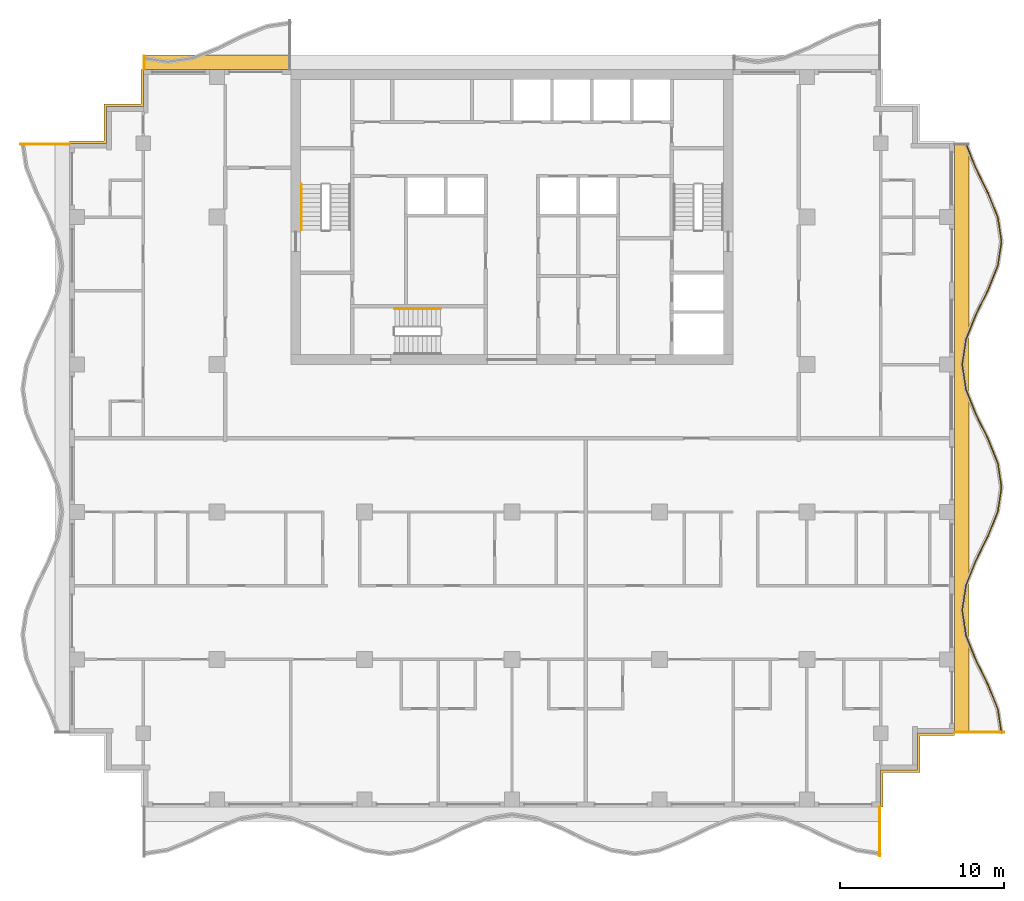
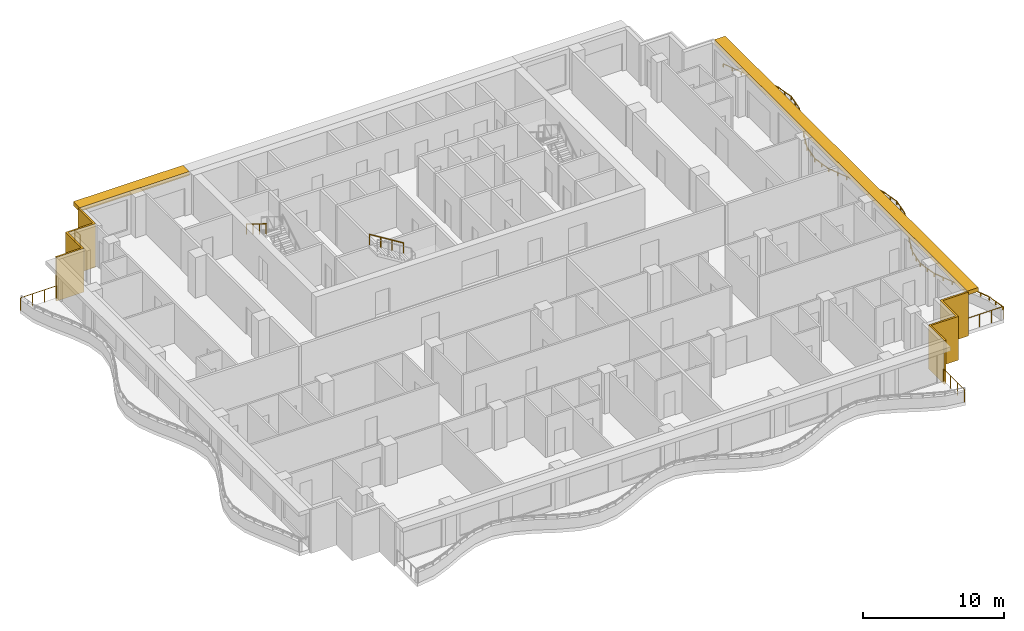
# One storey, part 10 of 11: 7 railings, 4 shading devices.
"""IFC4 building model written with IfcOpenShell, lengths in metres."""

import ifcopenshell
import ifcopenshell.guid

model = None  # the IFC model being written
_history = None  # IfcOwnerHistory: only IFC2X3 demands one
_inside = {}  # id of a spatial element -> (the spatial element, [elements in it])
_under = {}  # id of a project, library or spatial element -> (it, [spatial elements below it])
_declared = {}  # id of a project -> (the project, [libraries it declares])
_typed = {}  # id of a type object -> (the type object, [elements of that type])
_made_of = {}  # id of a material, layer set ... -> (it, [elements and type objects made of it])


def new_model(schema):
    """Start an empty IFC model of exactly this schema.

    Asked for "IFC4X3", IfcOpenShell would pick the latest addendum, in which some entities
    have other attributes; the version numbers below select the first issue.
    IFC2X3 requires an IfcOwnerHistory on every rooted entity: one is made here for all.
    """
    global model, _history
    if schema == "IFC4X3":
        model = ifcopenshell.file(schema_version=(4, 3, 0, 0))
    else:
        model = ifcopenshell.file(schema=schema)
    _inside.clear()
    _under.clear()
    _declared.clear()
    _typed.clear()
    _made_of.clear()
    _history = None
    if model.schema == "IFC2X3":
        org = make("IfcOrganization", Name="unknown")
        user = make(
            "IfcPersonAndOrganization",
            ThePerson=make("IfcPerson", FamilyName="unknown"),
            TheOrganization=org,
        )
        app = make(
            "IfcApplication",
            ApplicationDeveloper=org,
            Version="unknown",
            ApplicationFullName="unknown",
            ApplicationIdentifier="unknown",
        )
        _history = make(
            "IfcOwnerHistory",
            OwningUser=user,
            OwningApplication=app,
            ChangeAction="ADDED",
            CreationDate=0,
        )
    return model


def make(cls, **values):
    """One entity of the class cls with the attributes given. An attribute that is None is left unset."""
    return model.create_entity(
        cls, **{name: value for name, value in values.items() if value is not None}
    )


def rooted(cls, **values):
    """An entity with a GlobalId (a new one), such as an element, a storey or a relation."""
    return make(cls, GlobalId=ifcopenshell.guid.new(), OwnerHistory=_history, **values)


def si_unit(unit_type, name, prefix=None):
    """IfcSIUnit, for example si_unit("LENGTHUNIT", "METRE", prefix="MILLI")."""
    return make("IfcSIUnit", UnitType=unit_type, Prefix=prefix, Name=name)


def assignment(units):
    """IfcUnitAssignment: the units of a project."""
    return None if units is None else make("IfcUnitAssignment", Units=units)


def point(xyz):
    """IfcCartesianPoint."""
    return None if xyz is None else make("IfcCartesianPoint", Coordinates=xyz)


def direction(xyz):
    """IfcDirection."""
    return None if xyz is None else make("IfcDirection", DirectionRatios=xyz)


def frame(location, z_axis=None, x_axis=None):
    """IfcAxis2Placement3D, a coordinate frame: its origin and axes. An axis left out is left unset."""
    return make(
        "IfcAxis2Placement3D",
        Location=point(location),
        Axis=direction(z_axis),
        RefDirection=direction(x_axis),
    )


def frame_2d(location, x_axis=None):
    """IfcAxis2Placement2D, a coordinate frame in the plane: its origin and x axis."""
    return make(
        "IfcAxis2Placement2D", Location=point(location), RefDirection=direction(x_axis)
    )


def origin():
    """The frame at (0, 0, 0) with its axes left unset."""
    return frame((0.0, 0.0, 0.0))


def origin_2d():
    """The frame at (0, 0) in the plane with its x axis left unset."""
    return frame_2d((0.0, 0.0))


def place(relative_to, where):
    """IfcLocalPlacement: puts the frame where relative to a parent placement (None: the world)."""
    return make(
        "IfcLocalPlacement", PlacementRelTo=relative_to, RelativePlacement=where
    )


def context(
    kind, dimensions, precision=None, world=None, true_north=None, identifier=None
):
    """IfcGeometricRepresentationContext, for example the 3D "Model" context."""
    return make(
        "IfcGeometricRepresentationContext",
        ContextIdentifier=identifier,
        ContextType=kind,
        CoordinateSpaceDimension=dimensions,
        Precision=precision,
        WorldCoordinateSystem=world,
        TrueNorth=true_north,
    )


def subcontext(parent, identifier, kind, view, scale=None):
    """IfcGeometricRepresentationSubContext, for example "Body" below "Model"."""
    return make(
        "IfcGeometricRepresentationSubContext",
        ContextIdentifier=identifier,
        ContextType=kind,
        ParentContext=parent,
        TargetScale=scale,
        TargetView=view,
    )


def project(units=None, contexts=None):
    """IfcProject with its units and contexts."""
    return rooted(
        "IfcProject",
        Name="project",
        RepresentationContexts=contexts,
        UnitsInContext=assignment(units),
    )


def spatial(cls, under=None, at=None, **own):
    """A site, building, storey or space (cls), placed at a placement, below another one or the project."""
    s = rooted(cls, ObjectPlacement=at, **own)
    if under is not None:
        _under.setdefault(under.id(), (under, []))[1].append(s)
    return s


def polyline(points):
    """IfcPolyline through the points."""
    return make("IfcPolyline", Points=[point(p) for p in points])


def profile(cls, at=None, kind="AREA", **sizes):
    """A parametric profile (cls). Its sizes go by their IFC names, for example OverallWidth=200.0."""
    return make(cls, ProfileType=kind, Position=at, **sizes)


def rectangle(**sizes):
    """IfcRectangleProfileDef."""
    return profile("IfcRectangleProfileDef", **sizes)


def circle(**sizes):
    """IfcCircleProfileDef."""
    return profile("IfcCircleProfileDef", **sizes)


def outline(outer, holes=None, kind="AREA"):
    """IfcArbitraryClosedProfileDef: a profile drawn as a closed curve; with holes, ...WithVoids."""
    if holes is None:
        return make("IfcArbitraryClosedProfileDef", ProfileType=kind, OuterCurve=outer)
    return make(
        "IfcArbitraryProfileDefWithVoids",
        ProfileType=kind,
        OuterCurve=outer,
        InnerCurves=holes,
    )


def extrude(swept, where, along, depth):
    """IfcExtrudedAreaSolid: the profile swept, set in the frame where, extruded along a direction by depth."""
    return make(
        "IfcExtrudedAreaSolid",
        SweptArea=swept,
        Position=where,
        ExtrudedDirection=direction(along),
        Depth=depth,
    )


def shape(context_of_items, identifier, shape_type, items):
    """IfcShapeRepresentation: the items that make up one representation, for example the "Body"."""
    return make(
        "IfcShapeRepresentation",
        ContextOfItems=context_of_items,
        RepresentationIdentifier=identifier,
        RepresentationType=shape_type,
        Items=items,
    )


def material(Name=None, Category=None):
    """IfcMaterial."""
    return make("IfcMaterial", Name=Name, Category=Category)


def layer(
    of_material, thickness, ventilated=None, Name=None, Category=None, Priority=None
):
    """IfcMaterialLayer: one layer of a wall or slab, of a material (None: an air gap)."""
    return make(
        "IfcMaterialLayer",
        Material=of_material,
        LayerThickness=thickness,
        IsVentilated=ventilated,
        Name=Name,
        Category=Category,
        Priority=Priority,
    )


def layer_set(layers, Name=None):
    """IfcMaterialLayerSet."""
    return make("IfcMaterialLayerSet", MaterialLayers=layers, LayerSetName=Name)


def made_of(thing, what):
    """Note that an element or type object is made of a material, layer set ...; save() writes the relation."""
    if what is not None:
        _made_of.setdefault(what.id(), (what, []))[1].append(thing)
    return thing


def type_object(cls, material=None, **own):
    """A type object (cls), such as IfcWallType, which elements share."""
    return made_of(rooted(cls, **own), material)


def element(
    cls,
    number,
    at=None,
    inside=None,
    cuts=None,
    type_object=None,
    material=None,
    context=None,
    identifier="Body",
    shape_type=None,
    held_by="IfcProductDefinitionShape",
    body=None,
    shapes=None,
    **own,
):
    """One element of the class cls, such as IfcWall. Its Tag is "e" and its number.

    at: its placement. inside: the storey or other place that contains it. cuts: it is an
    opening in that element (IfcRelVoidsElement). A single representation is given by context,
    identifier, shape_type and body (its items); several are given by shapes. held_by: the class
    of the entity that holds the representations. save() writes the other relations.
    """
    e = rooted(cls, Tag="e%d" % number, ObjectPlacement=at, **own)
    if body is not None:
        shapes = [shape(context, identifier, shape_type, body)]
    if shapes is not None:
        e.Representation = make(held_by, Representations=shapes)
    if inside is not None:
        _inside.setdefault(inside.id(), (inside, []))[1].append(e)
    if cuts is not None:
        rooted(
            "IfcRelVoidsElement", RelatingBuildingElement=cuts, RelatedOpeningElement=e
        )
    if type_object is not None:
        _typed.setdefault(type_object.id(), (type_object, []))[1].append(e)
    return made_of(e, material)


def aggregate(whole, parts):
    """IfcRelAggregates: a whole, such as a stair, and the parts it consists of."""
    return rooted("IfcRelAggregates", RelatingObject=whole, RelatedObjects=parts)


def save(model, path):
    """Write the relations noted so far, then the file.

    IfcRelAggregates (storeys below a building ...), IfcRelContainedInSpatialStructure (elements
    in a storey), IfcRelDefinesByType, IfcRelAssociatesMaterial and IfcRelDeclares: one each for
    every whole, place, type object, material and project.
    """
    for whole, parts in _under.values():
        aggregate(whole, parts)
    for where, things in _inside.values():
        rooted(
            "IfcRelContainedInSpatialStructure",
            RelatedElements=things,
            RelatingStructure=where,
        )
    for kind, things in _typed.values():
        rooted("IfcRelDefinesByType", RelatedObjects=things, RelatingType=kind)
    for what, things in _made_of.values():
        rooted("IfcRelAssociatesMaterial", RelatedObjects=things, RelatingMaterial=what)
    for by, libraries in _declared.values():
        rooted("IfcRelDeclares", RelatingContext=by, RelatedDefinitions=libraries)
    model.write(path)


model = new_model("IFC4")

# Units and contexts
model_context = context("Model", 3, precision=1e-05, world=origin(), true_north=direction((0.0, 1.0)))
body_context = subcontext(model_context, "Body", "Model", "MODEL_VIEW")
ifc_project = project(units=[si_unit("LENGTHUNIT", "METRE"), si_unit("AREAUNIT", "SQUARE_METRE"), si_unit("VOLUMEUNIT", "CUBIC_METRE"), si_unit("PLANEANGLEUNIT", "RADIAN"), si_unit("MASSUNIT", "GRAM", prefix="KILO")], contexts=[model_context])

# Site, building, storey
site_placement = place(None, origin())
site = spatial("IfcSite", under=ifc_project, at=site_placement, CompositionType="ELEMENT")
building_placement = place(site_placement, origin())
building = spatial("IfcBuilding", under=site, at=building_placement, Name="Orbiselva Terraces", CompositionType="ELEMENT")
storey_placement = place(building_placement, frame((0.0, 0.0, 250.2)))
storey = spatial("IfcBuildingStorey", under=building, at=storey_placement, Name="L63", CompositionType="ELEMENT", Elevation=250.2)

# Railings
ifc_material_1 = material(Name="Stainless steel", Category="steel")
railing_type_1 = type_object("IfcRailingType", Name="CORE-HANDRAIL-900", PredefinedType="HANDRAIL", material=ifc_material_1)
railing_1_placement = place(storey_placement, frame((-12.85, 15.5, 2.072727)))
element("IfcRailing", 1, at=railing_1_placement, inside=storey, type_object=railing_type_1, Name="L63 S1 stair handrail 2", PredefinedType="HANDRAIL", context=body_context, shape_type="SweptSolid", body=[
    extrude(circle(Radius=0.024, at=origin_2d()), frame((0.0, 0.0, 0.876), z_axis=(0.0, -0.851088519012, 0.52502222125), x_axis=(1.0, 0.0, 0.0)), (0.0, 0.0, 1.0), 3.289905),
    extrude(circle(Radius=0.021, at=origin_2d()), origin(), (0.0, 0.0, 1.0), 0.852),
    extrude(circle(Radius=0.021, at=origin_2d()), frame((0.0, -0.933333, 0.575758)), (0.0, 0.0, 1.0), 0.852),
    extrude(circle(Radius=0.021, at=origin_2d()), frame((0.0, -1.866667, 1.151515)), (0.0, 0.0, 1.0), 0.852),
    extrude(circle(Radius=0.021, at=origin_2d()), frame((0.0, -2.8, 1.727273)), (0.0, 0.0, 1.0), 0.852),
])
railing_2_placement = place(storey_placement, frame((-4.35, 7.9, 2.072727)))
element("IfcRailing", 2, at=railing_2_placement, inside=storey, type_object=railing_type_1, Name="L63 S3 stair handrail 2", PredefinedType="HANDRAIL", context=body_context, shape_type="SweptSolid", body=[
    extrude(circle(Radius=0.024, at=origin_2d()), frame((0.0, 0.0, 0.876), z_axis=(-0.851088519012, 0.0, 0.52502222125), x_axis=(0.0, -1.0, 0.0)), (0.0, 0.0, 1.0), 3.289905),
    extrude(circle(Radius=0.021, at=origin_2d()), origin(), (0.0, 0.0, 1.0), 0.852),
    extrude(circle(Radius=0.021, at=origin_2d()), frame((-0.933333, 0.0, 0.575758)), (0.0, 0.0, 1.0), 0.852),
    extrude(circle(Radius=0.021, at=origin_2d()), frame((-1.866667, 0.0, 1.151515)), (0.0, 0.0, 1.0), 0.852),
    extrude(circle(Radius=0.021, at=origin_2d()), frame((-2.8, 0.0, 1.727273)), (0.0, 0.0, 1.0), 0.852),
])
ifc_material_2 = material(Name="Bonded two-ply safety glass balustrade, stainless steel posts", Category="steel")
railing_type_2 = type_object("IfcRailingType", Name="ENV-BALUSTRADE-1200", PredefinedType="BALUSTRADE", material=ifc_material_2)
railing_3_placement = place(storey_placement, frame((29.876434, -18.018879, 0.9)))
element("IfcRailing", 3, at=railing_3_placement, inside=storey, type_object=railing_type_2, Name="Balcony balustrade L63 E", PredefinedType="BALUSTRADE", context=body_context, shape_type="SweptSolid", body=[
    extrude(outline(polyline([(0.028868, 0.0), (0.014434, 0.025), (-0.014434, 0.025), (-0.028868, 0.0), (-0.014434, -0.025), (0.014434, -0.025), (0.028868, 0.0)])), frame((0.0, 0.0, 0.275), z_axis=(-0.151034103443, 0.988528552748, 0.0), x_axis=(-0.988528552748, -0.151034103443, 0.0)), (0.0, 0.0, 1.0), 1.503038),
    extrude(outline(polyline([(0.028868, 0.0), (0.014434, 0.025), (-0.014434, 0.025), (-0.028868, 0.0), (-0.014434, -0.025), (0.014434, -0.025), (0.028868, 0.0)])), frame((-0.22701, 1.485796, 0.275), z_axis=(-0.371391000387, 0.928476561272, 0.0), x_axis=(-0.928476561272, -0.371391000387, 0.0)), (0.0, 0.0, 1.0), 1.596261),
    extrude(outline(polyline([(0.028868, 0.0), (0.014434, 0.025), (-0.014434, 0.025), (-0.028868, 0.0), (-0.014434, -0.025), (0.014434, -0.025), (0.028868, 0.0)])), frame((-0.819847, 2.967887, 0.275), z_axis=(-0.443212307306, 0.896416672454, 0.0), x_axis=(-0.896416672454, -0.443212307306, 0.0)), (0.0, 0.0, 1.0), 1.673329),
    extrude(outline(polyline([(0.028868, 0.0), (0.014434, 0.025), (-0.014434, 0.025), (-0.028868, 0.0), (-0.014434, -0.025), (0.014434, -0.025), (0.028868, 0.0)])), frame((-1.561487, 4.467887, 0.275), z_axis=(-0.371390359967, 0.92847681744, 0.0), x_axis=(-0.92847681744, -0.371390359967, 0.0)), (0.0, 0.0, 1.0), 1.634838),
    extrude(outline(polyline([(0.028868, 0.0), (0.014434, 0.025), (-0.014434, 0.025), (-0.028868, 0.0), (-0.014434, -0.025), (0.014434, -0.025), (0.028868, 0.0)])), frame((-2.16865, 5.985796, 0.275), z_axis=(-0.151034211256, 0.988528536275, 0.0), x_axis=(-0.988528536275, -0.151034211256, 0.0)), (0.0, 0.0, 1.0), 1.550874),
    extrude(outline(polyline([(0.028868, 0.0), (0.014434, 0.025), (-0.014434, 0.025), (-0.028868, 0.0), (-0.014434, -0.025), (0.014434, -0.025), (0.028868, 0.0)])), frame((-2.402885, 7.518879, 0.275), z_axis=(0.151034211256, 0.988528536275, 0.0), x_axis=(-0.988528536275, 0.151034211256, 0.0)), (0.0, 0.0, 1.0), 1.550874),
    extrude(outline(polyline([(0.028868, 0.0), (0.014434, 0.025), (-0.014434, 0.025), (-0.028868, 0.0), (-0.014434, -0.025), (0.014434, -0.025), (0.028868, 0.0)])), frame((-2.16865, 9.051962, 0.275), z_axis=(0.371390359967, 0.92847681744, 0.0), x_axis=(-0.92847681744, 0.371390359967, 0.0)), (0.0, 0.0, 1.0), 1.634838),
    extrude(outline(polyline([(0.028868, 0.0), (0.014434, 0.025), (-0.014434, 0.025), (-0.028868, 0.0), (-0.014434, -0.025), (0.014434, -0.025), (0.028868, 0.0)])), frame((-1.561487, 10.569871, 0.275), z_axis=(0.443212307306, 0.896416672454, 0.0), x_axis=(-0.896416672454, 0.443212307306, 0.0)), (0.0, 0.0, 1.0), 1.673329),
    extrude(outline(polyline([(0.028868, 0.0), (0.014434, 0.025), (-0.014434, 0.025), (-0.028868, 0.0), (-0.014434, -0.025), (0.014434, -0.025), (0.028868, 0.0)])), frame((-0.819847, 12.069871, 0.275), z_axis=(0.371391000387, 0.928476561272, 0.0), x_axis=(-0.928476561272, 0.371391000387, 0.0)), (0.0, 0.0, 1.0), 1.596261),
    extrude(outline(polyline([(0.028868, 0.0), (0.014434, 0.025), (-0.014434, 0.025), (-0.028868, 0.0), (-0.014434, -0.025), (0.014434, -0.025), (0.028868, 0.0)])), frame((-0.22701, 13.551962, 0.275), z_axis=(0.151033749027, 0.988528606898, 0.0), x_axis=(-0.988528606898, 0.151033749027, 0.0)), (0.0, 0.0, 1.0), 1.48394),
    extrude(outline(polyline([(0.028868, 0.0), (0.014434, 0.025), (-0.014434, 0.025), (-0.028868, 0.0), (-0.014434, -0.025), (0.014434, -0.025), (0.028868, 0.0)])), frame((-0.002885, 15.018879, 0.275), z_axis=(-0.151033749027, 0.988528606898, 0.0), x_axis=(-0.988528606898, -0.151033749027, 0.0)), (0.0, 0.0, 1.0), 1.48394),
    extrude(outline(polyline([(0.028868, 0.0), (0.014434, 0.025), (-0.014434, 0.025), (-0.028868, 0.0), (-0.014434, -0.025), (0.014434, -0.025), (0.028868, 0.0)])), frame((-0.22701, 16.485796, 0.275), z_axis=(-0.371391000387, 0.928476561272, 0.0), x_axis=(-0.928476561272, -0.371391000387, 0.0)), (0.0, 0.0, 1.0), 1.596261),
    extrude(outline(polyline([(0.028868, 0.0), (0.014434, 0.025), (-0.014434, 0.025), (-0.028868, 0.0), (-0.014434, -0.025), (0.014434, -0.025), (0.028868, 0.0)])), frame((-0.819847, 17.967887, 0.275), z_axis=(-0.443212307306, 0.896416672454, 0.0), x_axis=(-0.896416672454, -0.443212307306, 0.0)), (0.0, 0.0, 1.0), 1.673329),
    extrude(outline(polyline([(0.028868, 0.0), (0.014434, 0.025), (-0.014434, 0.025), (-0.028868, 0.0), (-0.014434, -0.025), (0.014434, -0.025), (0.028868, 0.0)])), frame((-1.561487, 19.467887, 0.275), z_axis=(-0.371390359967, 0.92847681744, 0.0), x_axis=(-0.92847681744, -0.371390359967, 0.0)), (0.0, 0.0, 1.0), 1.634838),
    extrude(outline(polyline([(0.028868, 0.0), (0.014434, 0.025), (-0.014434, 0.025), (-0.028868, 0.0), (-0.014434, -0.025), (0.014434, -0.025), (0.028868, 0.0)])), frame((-2.16865, 20.985796, 0.275), z_axis=(-0.151034211256, 0.988528536275, 0.0), x_axis=(-0.988528536275, -0.151034211256, 0.0)), (0.0, 0.0, 1.0), 1.550874),
    extrude(outline(polyline([(0.028868, 0.0), (0.014434, 0.025), (-0.014434, 0.025), (-0.028868, 0.0), (-0.014434, -0.025), (0.014434, -0.025), (0.028868, 0.0)])), frame((-2.402885, 22.518879, 0.275), z_axis=(0.151034211256, 0.988528536275, 0.0), x_axis=(-0.988528536275, 0.151034211256, 0.0)), (0.0, 0.0, 1.0), 1.550874),
    extrude(outline(polyline([(0.028868, 0.0), (0.014434, 0.025), (-0.014434, 0.025), (-0.028868, 0.0), (-0.014434, -0.025), (0.014434, -0.025), (0.028868, 0.0)])), frame((-2.16865, 24.051962, 0.275), z_axis=(0.371390359967, 0.92847681744, 0.0), x_axis=(-0.92847681744, 0.371390359967, 0.0)), (0.0, 0.0, 1.0), 1.634838),
    extrude(outline(polyline([(0.028868, 0.0), (0.014434, 0.025), (-0.014434, 0.025), (-0.028868, 0.0), (-0.014434, -0.025), (0.014434, -0.025), (0.028868, 0.0)])), frame((-1.561487, 25.569871, 0.275), z_axis=(0.443212307306, 0.896416672454, 0.0), x_axis=(-0.896416672454, 0.443212307306, 0.0)), (0.0, 0.0, 1.0), 1.673329),
    extrude(outline(polyline([(0.028868, 0.0), (0.014434, 0.025), (-0.014434, 0.025), (-0.028868, 0.0), (-0.014434, -0.025), (0.014434, -0.025), (0.028868, 0.0)])), frame((-0.819847, 27.069871, 0.275), z_axis=(0.371391000387, 0.928476561272, 0.0), x_axis=(-0.928476561272, 0.371391000387, 0.0)), (0.0, 0.0, 1.0), 1.596261),
    extrude(outline(polyline([(0.028868, 0.0), (0.014434, 0.025), (-0.014434, 0.025), (-0.028868, 0.0), (-0.014434, -0.025), (0.014434, -0.025), (0.028868, 0.0)])), frame((-0.22701, 28.551962, 0.275), z_axis=(0.151033749027, 0.988528606898, 0.0), x_axis=(-0.988528606898, 0.151033749027, 0.0)), (0.0, 0.0, 1.0), 1.48394),
    extrude(outline(polyline([(0.028868, 0.0), (0.014434, 0.025), (-0.014434, 0.025), (-0.028868, 0.0), (-0.014434, -0.025), (0.014434, -0.025), (0.028868, 0.0)])), frame((-0.002885, 30.018879, 0.275), z_axis=(-0.151033749027, 0.988528606898, 0.0), x_axis=(-0.988528606898, -0.151033749027, 0.0)), (0.0, 0.0, 1.0), 1.48394),
    extrude(outline(polyline([(0.028868, 0.0), (0.014434, 0.025), (-0.014434, 0.025), (-0.028868, 0.0), (-0.014434, -0.025), (0.014434, -0.025), (0.028868, 0.0)])), frame((-0.22701, 31.485796, 0.275), z_axis=(-0.371391000387, 0.928476561272, 0.0), x_axis=(-0.928476561272, -0.371391000387, 0.0)), (0.0, 0.0, 1.0), 1.596261),
    extrude(outline(polyline([(0.028868, 0.0), (0.014434, 0.025), (-0.014434, 0.025), (-0.028868, 0.0), (-0.014434, -0.025), (0.014434, -0.025), (0.028868, 0.0)])), frame((-0.819847, 32.967887, 0.275), z_axis=(-0.443212307306, 0.896416672454, 0.0), x_axis=(-0.896416672454, -0.443212307306, 0.0)), (0.0, 0.0, 1.0), 1.673329),
    extrude(outline(polyline([(0.028868, 0.0), (0.014434, 0.025), (-0.014434, 0.025), (-0.028868, 0.0), (-0.014434, -0.025), (0.014434, -0.025), (0.028868, 0.0)])), frame((-1.561487, 34.467887, 0.275), z_axis=(-0.371390569957, 0.928476733444, 0.0), x_axis=(-0.928476733444, -0.371390569957, 0.0)), (0.0, 0.0, 1.0), 1.620469),
    extrude(rectangle(XDim=0.05, YDim=0.05, at=origin_2d()), origin(), (0.0, 0.0, 1.0), 0.25),
    extrude(rectangle(XDim=0.05, YDim=0.05, at=origin_2d()), frame((-0.113505, 0.742898, 0.0)), (0.0, 0.0, 1.0), 0.25),
    extrude(rectangle(XDim=0.05, YDim=0.05, at=origin_2d()), frame((-0.22701, 1.485796, 0.0)), (0.0, 0.0, 1.0), 0.25),
    extrude(rectangle(XDim=0.05, YDim=0.05, at=origin_2d()), frame((-0.523428, 2.226841, 0.0)), (0.0, 0.0, 1.0), 0.25),
    extrude(rectangle(XDim=0.05, YDim=0.05, at=origin_2d()), frame((-0.819847, 2.967887, 0.0)), (0.0, 0.0, 1.0), 0.25),
    extrude(rectangle(XDim=0.05, YDim=0.05, at=origin_2d()), frame((-1.190667, 3.717887, 0.0)), (0.0, 0.0, 1.0), 0.25),
    extrude(rectangle(XDim=0.05, YDim=0.05, at=origin_2d()), frame((-1.561487, 4.467887, 0.0)), (0.0, 0.0, 1.0), 0.25),
    extrude(rectangle(XDim=0.05, YDim=0.05, at=origin_2d()), frame((-1.865068, 5.226841, 0.0)), (0.0, 0.0, 1.0), 0.25),
    extrude(rectangle(XDim=0.05, YDim=0.05, at=origin_2d()), frame((-2.16865, 5.985796, 0.0)), (0.0, 0.0, 1.0), 0.25),
    extrude(rectangle(XDim=0.05, YDim=0.05, at=origin_2d()), frame((-2.285768, 6.752337, 0.0)), (0.0, 0.0, 1.0), 0.25),
    extrude(rectangle(XDim=0.05, YDim=0.05, at=origin_2d()), frame((-2.402885, 7.518879, 0.0)), (0.0, 0.0, 1.0), 0.25),
    extrude(rectangle(XDim=0.05, YDim=0.05, at=origin_2d()), frame((-2.285768, 8.28542, 0.0)), (0.0, 0.0, 1.0), 0.25),
    extrude(rectangle(XDim=0.05, YDim=0.05, at=origin_2d()), frame((-2.16865, 9.051962, 0.0)), (0.0, 0.0, 1.0), 0.25),
    extrude(rectangle(XDim=0.05, YDim=0.05, at=origin_2d()), frame((-1.865068, 9.810916, 0.0)), (0.0, 0.0, 1.0), 0.25),
    extrude(rectangle(XDim=0.05, YDim=0.05, at=origin_2d()), frame((-1.561487, 10.569871, 0.0)), (0.0, 0.0, 1.0), 0.25),
    extrude(rectangle(XDim=0.05, YDim=0.05, at=origin_2d()), frame((-1.190667, 11.319871, 0.0)), (0.0, 0.0, 1.0), 0.25),
    extrude(rectangle(XDim=0.05, YDim=0.05, at=origin_2d()), frame((-0.819847, 12.069871, 0.0)), (0.0, 0.0, 1.0), 0.25),
    extrude(rectangle(XDim=0.05, YDim=0.05, at=origin_2d()), frame((-0.523428, 12.810916, 0.0)), (0.0, 0.0, 1.0), 0.25),
    extrude(rectangle(XDim=0.05, YDim=0.05, at=origin_2d()), frame((-0.22701, 13.551962, 0.0)), (0.0, 0.0, 1.0), 0.25),
    extrude(rectangle(XDim=0.05, YDim=0.05, at=origin_2d()), frame((-0.114947, 14.28542, 0.0)), (0.0, 0.0, 1.0), 0.25),
    extrude(rectangle(XDim=0.05, YDim=0.05, at=origin_2d()), frame((-0.002885, 15.018879, 0.0)), (0.0, 0.0, 1.0), 0.25),
    extrude(rectangle(XDim=0.05, YDim=0.05, at=origin_2d()), frame((-0.114947, 15.752337, 0.0)), (0.0, 0.0, 1.0), 0.25),
    extrude(rectangle(XDim=0.05, YDim=0.05, at=origin_2d()), frame((-0.22701, 16.485796, 0.0)), (0.0, 0.0, 1.0), 0.25),
    extrude(rectangle(XDim=0.05, YDim=0.05, at=origin_2d()), frame((-0.523428, 17.226842, 0.0)), (0.0, 0.0, 1.0), 0.25),
    extrude(rectangle(XDim=0.05, YDim=0.05, at=origin_2d()), frame((-0.819847, 17.967887, 0.0)), (0.0, 0.0, 1.0), 0.25),
    extrude(rectangle(XDim=0.05, YDim=0.05, at=origin_2d()), frame((-1.190667, 18.717887, 0.0)), (0.0, 0.0, 1.0), 0.25),
    extrude(rectangle(XDim=0.05, YDim=0.05, at=origin_2d()), frame((-1.561487, 19.467887, 0.0)), (0.0, 0.0, 1.0), 0.25),
    extrude(rectangle(XDim=0.05, YDim=0.05, at=origin_2d()), frame((-1.865068, 20.226842, 0.0)), (0.0, 0.0, 1.0), 0.25),
    extrude(rectangle(XDim=0.05, YDim=0.05, at=origin_2d()), frame((-2.16865, 20.985796, 0.0)), (0.0, 0.0, 1.0), 0.25),
    extrude(rectangle(XDim=0.05, YDim=0.05, at=origin_2d()), frame((-2.285768, 21.752337, 0.0)), (0.0, 0.0, 1.0), 0.25),
    extrude(rectangle(XDim=0.05, YDim=0.05, at=origin_2d()), frame((-2.402885, 22.518879, 0.0)), (0.0, 0.0, 1.0), 0.25),
    extrude(rectangle(XDim=0.05, YDim=0.05, at=origin_2d()), frame((-2.285768, 23.28542, 0.0)), (0.0, 0.0, 1.0), 0.25),
    extrude(rectangle(XDim=0.05, YDim=0.05, at=origin_2d()), frame((-2.16865, 24.051962, 0.0)), (0.0, 0.0, 1.0), 0.25),
    extrude(rectangle(XDim=0.05, YDim=0.05, at=origin_2d()), frame((-1.865068, 24.810916, 0.0)), (0.0, 0.0, 1.0), 0.25),
    extrude(rectangle(XDim=0.05, YDim=0.05, at=origin_2d()), frame((-1.561487, 25.569871, 0.0)), (0.0, 0.0, 1.0), 0.25),
    extrude(rectangle(XDim=0.05, YDim=0.05, at=origin_2d()), frame((-1.190667, 26.319871, 0.0)), (0.0, 0.0, 1.0), 0.25),
    extrude(rectangle(XDim=0.05, YDim=0.05, at=origin_2d()), frame((-0.819847, 27.069871, 0.0)), (0.0, 0.0, 1.0), 0.25),
    extrude(rectangle(XDim=0.05, YDim=0.05, at=origin_2d()), frame((-0.523428, 27.810916, 0.0)), (0.0, 0.0, 1.0), 0.25),
    extrude(rectangle(XDim=0.05, YDim=0.05, at=origin_2d()), frame((-0.22701, 28.551962, 0.0)), (0.0, 0.0, 1.0), 0.25),
    extrude(rectangle(XDim=0.05, YDim=0.05, at=origin_2d()), frame((-0.114947, 29.28542, 0.0)), (0.0, 0.0, 1.0), 0.25),
    extrude(rectangle(XDim=0.05, YDim=0.05, at=origin_2d()), frame((-0.002885, 30.018879, 0.0)), (0.0, 0.0, 1.0), 0.25),
    extrude(rectangle(XDim=0.05, YDim=0.05, at=origin_2d()), frame((-0.114947, 30.752338, 0.0)), (0.0, 0.0, 1.0), 0.25),
    extrude(rectangle(XDim=0.05, YDim=0.05, at=origin_2d()), frame((-0.22701, 31.485796, 0.0)), (0.0, 0.0, 1.0), 0.25),
    extrude(rectangle(XDim=0.05, YDim=0.05, at=origin_2d()), frame((-0.523428, 32.226842, 0.0)), (0.0, 0.0, 1.0), 0.25),
    extrude(rectangle(XDim=0.05, YDim=0.05, at=origin_2d()), frame((-0.819847, 32.967887, 0.0)), (0.0, 0.0, 1.0), 0.25),
    extrude(rectangle(XDim=0.05, YDim=0.05, at=origin_2d()), frame((-1.190667, 33.717887, 0.0)), (0.0, 0.0, 1.0), 0.25),
    extrude(rectangle(XDim=0.05, YDim=0.05, at=origin_2d()), frame((-1.561487, 34.467887, 0.0)), (0.0, 0.0, 1.0), 0.25),
    extrude(rectangle(XDim=0.05, YDim=0.05, at=origin_2d()), frame((-1.8624, 35.220171, 0.0)), (0.0, 0.0, 1.0), 0.25),
    extrude(rectangle(XDim=0.05, YDim=0.05, at=origin_2d()), frame((-2.163314, 35.972455, 0.0)), (0.0, 0.0, 1.0), 0.25),
])
ifc_material_3 = material(Name="Stainless steel rail and posts", Category="steel")
railing_type_3 = type_object("IfcRailingType", Name="ENV-GUARD-1105", PredefinedType="BALUSTRADE", material=ifc_material_3)
railing_4_placement = place(storey_placement, frame((22.44, -25.499621, 0.0)))
element("IfcRailing", 4, at=railing_4_placement, inside=storey, type_object=railing_type_3, Name="Balcony end guard L63 S", PredefinedType="BALUSTRADE", context=body_context, shape_type="SweptSolid", body=[
    extrude(outline(polyline([(0.028868, 0.0), (0.014434, 0.025), (-0.014434, 0.025), (-0.028868, 0.0), (-0.014434, -0.025), (0.014434, -0.025), (0.028868, 0.0)])), frame((0.0, 0.0, 1.08), z_axis=(0.0, 1.0, 0.0), x_axis=(-1.0, 0.0, 0.0)), (0.0, 0.0, 1.0), 2.974621),
    extrude(rectangle(XDim=0.05, YDim=0.05, at=origin_2d()), origin(), (0.0, 0.0, 1.0), 1.055),
    extrude(rectangle(XDim=0.05, YDim=0.05, at=origin_2d()), frame((0.0, 0.99154, 0.0)), (0.0, 0.0, 1.0), 1.055),
    extrude(rectangle(XDim=0.05, YDim=0.05, at=origin_2d()), frame((0.0, 1.983081, 0.0)), (0.0, 0.0, 1.0), 1.055),
    extrude(rectangle(XDim=0.05, YDim=0.05, at=origin_2d()), frame((0.0, 2.974621, 0.0)), (0.0, 0.0, 1.0), 1.055),
])
railing_5_placement = place(storey_placement, frame((29.999621, -17.94, 0.0)))
element("IfcRailing", 5, at=railing_5_placement, inside=storey, type_object=railing_type_3, Name="Balcony end guard L63 E", PredefinedType="BALUSTRADE", context=body_context, shape_type="SweptSolid", body=[
    extrude(outline(polyline([(0.028868, 0.0), (0.014434, 0.025), (-0.014434, 0.025), (-0.028868, 0.0), (-0.014434, -0.025), (0.014434, -0.025), (0.028868, 0.0)])), frame((0.0, 0.0, 1.08), z_axis=(-1.0, 0.0, 0.0), x_axis=(0.0, -1.0, 0.0)), (0.0, 0.0, 1.0), 2.974621),
    extrude(rectangle(XDim=0.05, YDim=0.05, at=origin_2d()), origin(), (0.0, 0.0, 1.0), 1.055),
    extrude(rectangle(XDim=0.05, YDim=0.05, at=origin_2d()), frame((-0.99154, 0.0, 0.0)), (0.0, 0.0, 1.0), 1.055),
    extrude(rectangle(XDim=0.05, YDim=0.05, at=origin_2d()), frame((-1.983081, 0.0, 0.0)), (0.0, 0.0, 1.0), 1.055),
    extrude(rectangle(XDim=0.05, YDim=0.05, at=origin_2d()), frame((-2.974621, 0.0, 0.0)), (0.0, 0.0, 1.0), 1.055),
])
railing_6_placement = place(storey_placement, frame((-22.44, 23.311761, 0.0)))
element("IfcRailing", 6, at=railing_6_placement, inside=storey, type_object=railing_type_3, Name="Balcony end guard L63 NW", PredefinedType="BALUSTRADE", context=body_context, shape_type="SweptSolid", body=[
    extrude(outline(polyline([(0.028868, 0.0), (0.014434, 0.025), (-0.014434, 0.025), (-0.028868, 0.0), (-0.014434, -0.025), (0.014434, -0.025), (0.028868, 0.0)])), frame((0.0, 0.0, 1.08), z_axis=(0.0, -1.0, 0.0), x_axis=(1.0, 0.0, 0.0)), (0.0, 0.0, 1.0), 0.786761),
    extrude(rectangle(XDim=0.05, YDim=0.05, at=origin_2d()), origin(), (0.0, 0.0, 1.0), 1.055),
    extrude(rectangle(XDim=0.05, YDim=0.05, at=origin_2d()), frame((0.0, -0.786761, 0.0)), (0.0, 0.0, 1.0), 1.055),
])
railing_7_placement = place(storey_placement, frame((-29.999621, 17.94, 0.0)))
element("IfcRailing", 7, at=railing_7_placement, inside=storey, type_object=railing_type_3, Name="Balcony end guard L63 W", PredefinedType="BALUSTRADE", context=body_context, shape_type="SweptSolid", body=[
    extrude(outline(polyline([(0.028868, 0.0), (0.014434, 0.025), (-0.014434, 0.025), (-0.028868, 0.0), (-0.014434, -0.025), (0.014434, -0.025), (0.028868, 0.0)])), frame((0.0, 0.0, 1.08), z_axis=(1.0, 0.0, 0.0), x_axis=(0.0, 1.0, 0.0)), (0.0, 0.0, 1.0), 2.974621),
    extrude(rectangle(XDim=0.05, YDim=0.05, at=origin_2d()), origin(), (0.0, 0.0, 1.0), 1.055),
    extrude(rectangle(XDim=0.05, YDim=0.05, at=origin_2d()), frame((0.99154, 0.0, 0.0)), (0.0, 0.0, 1.0), 1.055),
    extrude(rectangle(XDim=0.05, YDim=0.05, at=origin_2d()), frame((1.983081, 0.0, 0.0)), (0.0, 0.0, 1.0), 1.055),
    extrude(rectangle(XDim=0.05, YDim=0.05, at=origin_2d()), frame((2.974621, 0.0, 0.0)), (0.0, 0.0, 1.0), 1.055),
])

# Shading devices
ifc_material_4 = material(Name="Terracotta louvre screen", Category="masonry")
ifc_layer_1 = layer(ifc_material_4, 0.15)
ifc_layer_set_1 = layer_set([ifc_layer_1], Name="Terracotta louvre screen")
shading_device_type_1 = type_object("IfcShadingDeviceType", Name="ENV-SCREEN-150", PredefinedType="USERDEFINED", material=ifc_layer_set_1)
shading_device_1_placement = place(storey_placement, frame((0.0, 0.0, -0.3)))
element("IfcShadingDevice", 8, at=shading_device_1_placement, inside=storey, type_object=shading_device_type_1, Name="Louvre screen L63 NW", ObjectType="SCREEN", PredefinedType="USERDEFINED", context=body_context, shape_type="SweptSolid", body=[
    extrude(outline(polyline([(-22.65, 22.5), (-22.65, 20.4), (-24.9, 20.4), (-24.9, 18.15), (-27.0, 18.15), (-27.0, 18.0), (-24.75, 18.0), (-24.75, 20.25), (-22.5, 20.25), (-22.5, 22.5), (-22.65, 22.5)])), origin(), (0.0, 0.0, 1.0), 3.8),
])
shading_device_2_placement = place(storey_placement, frame((0.0, 0.0, -0.3)))
element("IfcShadingDevice", 9, at=shading_device_2_placement, inside=storey, type_object=shading_device_type_1, Name="Louvre screen L63 SE", ObjectType="SCREEN", PredefinedType="USERDEFINED", context=body_context, shape_type="SweptSolid", body=[
    extrude(outline(polyline([(22.65, -22.5), (22.65, -20.4), (24.9, -20.4), (24.9, -18.15), (27.0, -18.15), (27.0, -18.0), (24.75, -18.0), (24.75, -20.25), (22.5, -20.25), (22.5, -22.5), (22.65, -22.5)])), origin(), (0.0, 0.0, 1.0), 3.8),
])
ifc_material_5 = material(Name="Terracotta baguette sunshade", Category="masonry")
ifc_layer_2 = layer(ifc_material_5, 0.35)
ifc_layer_set_2 = layer_set([ifc_layer_2], Name="Terracotta baguette sunshade")
shading_device_type_2 = type_object("IfcShadingDeviceType", Name="ENV-SUNSHADE-900x350", PredefinedType="USERDEFINED", material=ifc_layer_set_2)
shading_device_3_placement = place(storey_placement, frame((0.0, 0.0, 3.15)))
element("IfcShadingDevice", 10, at=shading_device_3_placement, inside=storey, type_object=shading_device_type_2, Name="Sunshade band L63 E", ObjectType="SUNSHADE", PredefinedType="USERDEFINED", context=body_context, shape_type="SweptSolid", body=[
    extrude(outline(polyline([(27.9, -18.0), (27.9, 18.0), (27.0, 18.0), (27.0, -18.0), (27.9, -18.0)])), origin(), (0.0, 0.0, 1.0), 0.35),
])
shading_device_4_placement = place(storey_placement, frame((0.0, 0.0, 3.15)))
element("IfcShadingDevice", 11, at=shading_device_4_placement, inside=storey, type_object=shading_device_type_2, Name="Sunshade band L63 NW", ObjectType="SUNSHADE", PredefinedType="USERDEFINED", context=body_context, shape_type="SweptSolid", body=[
    extrude(outline(polyline([(-13.5, 23.4), (-22.5, 23.4), (-22.5, 22.5), (-13.5, 22.5), (-13.5, 23.4)])), origin(), (0.0, 0.0, 1.0), 0.35),
])

save(model, "model.ifc")
